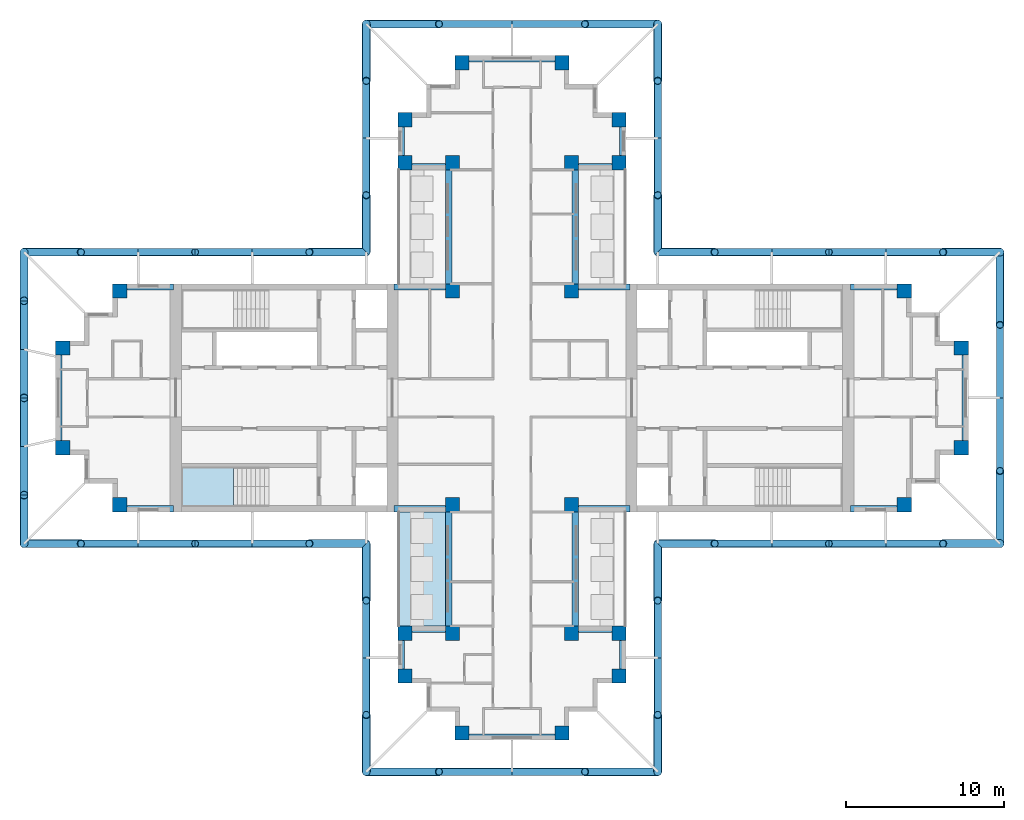
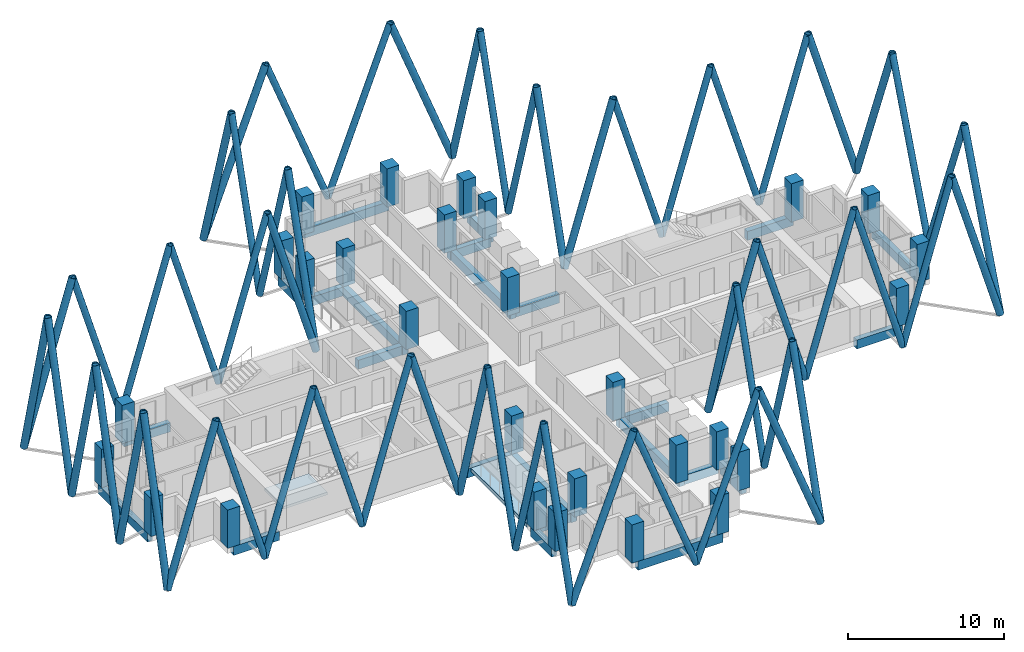
# One storey, part 1 of 11: 58 members, 28 columns, 24 beams, 2 slabs, 1 element without a shape of its own.
"""IFC4 building model written with IfcOpenShell, lengths in metres."""

from ifc_helpers import new_model, si_unit, direction, frame, origin, origin_2d, place, context, subcontext, project, spatial, polyline, rectangle, hollow_circle, outline, extrude, material, layer, layer_set, material_profile, profile_set, type_object, element, aggregate, save


model = new_model("IFC4")

# Units and contexts
model_context = context("Model", 3, precision=1e-05, world=origin(), true_north=direction((0.0, 1.0)))
body_context = subcontext(model_context, "Body", "Model", "MODEL_VIEW")
ifc_project = project(units=[si_unit("LENGTHUNIT", "METRE"), si_unit("AREAUNIT", "SQUARE_METRE"), si_unit("VOLUMEUNIT", "CUBIC_METRE"), si_unit("PLANEANGLEUNIT", "RADIAN"), si_unit("MASSUNIT", "GRAM", prefix="KILO")], contexts=[model_context])

# Site, building, storey
site_placement = place(None, origin())
site = spatial("IfcSite", under=ifc_project, at=site_placement, CompositionType="ELEMENT")
building_placement = place(site_placement, origin())
building = spatial("IfcBuilding", under=site, at=building_placement, Name="Fustian Cross Tower", CompositionType="ELEMENT")
storey_placement = place(building_placement, frame((0.0, 0.0, 222.89990234375)))
storey = spatial("IfcBuildingStorey", under=building, at=storey_placement, Name="L70", CompositionType="ELEMENT", Elevation=222.89990234375)

# Columns
ifc_material_1 = material(Name="Concrete C40/50", Category="concrete")
ifc_material_profile_1 = material_profile(ifc_material_1, rectangle(XDim=0.89990234375, YDim=0.89990234375, at=origin_2d()), Name="RC 900x900")
ifc_profile_set_1 = profile_set([ifc_material_profile_1], Name="Concrete C40/50")
column_type = type_object("IfcColumnType", Name="COLUMN RC 900x900 C40/50", PredefinedType="COLUMN", material=ifc_profile_set_1)
for number, where, z_axis, x_axis, name in (
    (1, (-28.35009765625, -3.14990234375, 0.0), (0.0, 0.0, 1.0), (1.0, 0.0, 0.0), "COLUMN 008"),
    (2, (-28.35009765625, 3.14990234375, 0.0), (0.0, 0.0, 1.0), (1.0, 0.0, 0.0), "COLUMN 009"),
    (3, (-24.75, -6.75, 0.0), (0.0, 0.0, 1.0), (1.0, 0.0, 0.0), "COLUMN 011"),
    (4, (-24.75, 6.75, 0.0), (0.0, 0.0, 1.0), (1.0, 0.0, 0.0), "COLUMN 012"),
    (5, (-6.75, -17.550048828125, 0.0), (0.0, 0.0, 1.0), (1.0, 0.0, 0.0), "COLUMN 017"),
    (6, (-6.75, -14.85009765625, 0.0), (0.0, 0.0, 1.0), (1.0, 0.0, 0.0), "COLUMN 018"),
    (7, (-6.75, 14.85009765625, 0.0), (0.0, 0.0, 1.0), (1.0, 0.0, 0.0), "COLUMN 019"),
    (8, (-6.75, 17.550048828125, 0.0), (0.0, 0.0, 1.0), (1.0, 0.0, 0.0), "COLUMN 020"),
    (9, (-3.75, -14.85009765625, 0.0), (0.0, 0.0, 1.0), (1.0, 0.0, 0.0), "COLUMN 025"),
    (10, (-3.75, -6.75, 0.0), (0.0, 0.0, 1.0), (1.0, 0.0, 0.0), "COLUMN 026"),
    (11, (-3.75, 6.75, 0.0), (0.0, 0.0, 1.0), (1.0, 0.0, 0.0), "COLUMN 027"),
    (12, (-3.75, 14.85009765625, 0.0), (0.0, 0.0, 1.0), (1.0, 0.0, 0.0), "COLUMN 028"),
    (13, (-3.14990234375, -21.14990234375, 0.0), (0.0, 0.0, 1.0), (1.0, 0.0, 0.0), "COLUMN 030"),
    (14, (-3.14990234375, 21.14990234375, 0.0), (0.0, 0.0, 1.0), (1.0, 0.0, 0.0), "COLUMN 031"),
    (15, (3.14990234375, -21.14990234375, 0.0), (0.0, 0.0, 1.0), (1.0, 0.0, 0.0), "COLUMN 034"),
    (16, (3.14990234375, 21.14990234375, 0.0), (0.0, 0.0, 1.0), (1.0, 0.0, 0.0), "COLUMN 035"),
    (17, (3.75, -14.85009765625, 0.0), (0.0, 0.0, 1.0), (1.0, 0.0, 0.0), "COLUMN 037"),
    (18, (3.75, -6.75, 0.0), (0.0, 0.0, 1.0), (1.0, 0.0, 0.0), "COLUMN 038"),
    (19, (3.75, 6.75, 0.0), (0.0, 0.0, 1.0), (1.0, 0.0, 0.0), "COLUMN 039"),
    (20, (3.75, 14.85009765625, 0.0), (0.0, 0.0, 1.0), (1.0, 0.0, 0.0), "COLUMN 040"),
    (21, (6.75, -17.550048828125, 0.0), (0.0, 0.0, 1.0), (1.0, 0.0, 0.0), "COLUMN 045"),
    (22, (6.75, -14.85009765625, 0.0), (0.0, 0.0, 1.0), (1.0, 0.0, 0.0), "COLUMN 046"),
    (23, (6.75, 14.85009765625, 0.0), (0.0, 0.0, 1.0), (1.0, 0.0, 0.0), "COLUMN 047"),
    (24, (6.75, 17.550048828125, 0.0), (0.0, 0.0, 1.0), (1.0, 0.0, 0.0), "COLUMN 048"),
    (25, (24.75, -6.75, 0.0), (0.0, 0.0, 1.0), (1.0, 0.0, 0.0), "COLUMN 053"),
    (26, (24.75, 6.75, 0.0), (0.0, 0.0, 1.0), (1.0, 0.0, 0.0), "COLUMN 054"),
    (27, (28.35009765625, -3.14990234375, 0.0), (0.0, 0.0, 1.0), (1.0, 0.0, 0.0), "COLUMN 056"),
    (28, (28.35009765625, 3.14990234375, 0.0), (0.0, 0.0, 1.0), (1.0, 0.0, 0.0), "COLUMN 057"),
):
    element("IfcColumn", number, at=place(storey_placement, frame(where, z_axis=z_axis, x_axis=x_axis)), inside=storey, type_object=column_type, Name=name, PredefinedType="COLUMN", context=body_context, shape_type="SweptSolid", body=[
        extrude(rectangle(XDim=0.89990234375, YDim=0.89990234375, at=origin_2d()), origin(), (0.0, 0.0, 1.0), 3.0),
    ])

# Members
ifc_material_2 = material(Name="Steel S355", Category="steel")
ifc_material_profile_2 = material_profile(ifc_material_2, hollow_circle(Radius=0.228515625, WallThickness=0.01611328125, at=origin_2d()), Name="CHS 457x16")
ifc_profile_set_2 = profile_set([ifc_material_profile_2], Name="Steel S355")
member_type_1 = type_object("IfcMemberType", Name="DIAGRID DIAGONAL CHS 457x16", PredefinedType="BRACE", material=ifc_profile_set_2)
for number, where, z_axis, x_axis, name in (
    (29, (16.39990234375, -9.199951171875, 0.0), (-0.287337158709, 0.0, 0.957829503213), (0.0, -1.0, 0.0), "Diagrid diagonal E-S 02"),
    (30, (16.39990234375, -9.199951171875, 0.0), (0.287355036744, 0.0, 0.957824139839), (0.0, 1.0, 0.0), "Diagrid diagonal E-S 03"),
    (31, (23.60009765625, -9.199951171875, 0.0), (-0.287355036744, 0.0, 0.957824139839), (0.0, -1.0, 0.0), "Diagrid diagonal E-S 04"),
    (32, (23.60009765625, -9.199951171875, 0.0), (0.287337158709, 0.0, 0.957829503213), (0.0, 1.0, 0.0), "Diagrid diagonal E-S 05"),
):
    element("IfcMember", number, at=place(storey_placement, frame(where, z_axis=z_axis, x_axis=x_axis)), inside=storey, type_object=member_type_1, Name=name, PredefinedType="BRACE", context=body_context, shape_type="SweptSolid", body=[
        extrude(hollow_circle(Radius=0.228515625, WallThickness=0.01611328125, at=origin_2d()), origin(), (0.0, 0.0, 1.0), 12.5283203125),
    ])
for number, where, z_axis, x_axis, name in (
    (33, (30.800048828125, 0.0, 0.0), (0.0, -0.3579426369, 0.933743577589), (1.0, 0.0, 0.0), "Diagrid diagonal E-end 02"),
    (34, (30.800048828125, 0.0, 0.0), (0.0, 0.3579426369, 0.933743577589), (-1.0, 0.0, 0.0), "Diagrid diagonal E-end 03"),
):
    element("IfcMember", number, at=place(storey_placement, frame(where, z_axis=z_axis, x_axis=x_axis)), inside=storey, type_object=member_type_1, Name=name, PredefinedType="BRACE", context=body_context, shape_type="SweptSolid", body=[
        extrude(hollow_circle(Radius=0.228515625, WallThickness=0.01611328125, at=origin_2d()), origin(), (0.0, 0.0, 1.0), 12.8515625),
    ])
for number, where, z_axis, x_axis, name in (
    (35, (23.60009765625, 9.199951171875, 0.0), (0.287337158709, 0.0, 0.957829503213), (0.0, 1.0, 0.0), "Diagrid diagonal E-N 02"),
    (36, (23.60009765625, 9.199951171875, 0.0), (-0.287355036744, 0.0, 0.957824139839), (0.0, -1.0, 0.0), "Diagrid diagonal E-N 03"),
    (37, (16.39990234375, 9.199951171875, 0.0), (0.287355036744, 0.0, 0.957824139839), (0.0, 1.0, 0.0), "Diagrid diagonal E-N 04"),
    (38, (16.39990234375, 9.199951171875, 0.0), (-0.287337158709, 0.0, 0.957829503213), (0.0, -1.0, 0.0), "Diagrid diagonal E-N 05"),
    (39, (9.199951171875, 16.39990234375, 0.0), (0.0, -0.287337158709, 0.957829503213), (1.0, 0.0, 0.0), "Diagrid diagonal N-E 02"),
    (40, (9.199951171875, 16.39990234375, 0.0), (0.0, 0.287355036744, 0.957824139839), (-1.0, 0.0, 0.0), "Diagrid diagonal N-E 03"),
):
    element("IfcMember", number, at=place(storey_placement, frame(where, z_axis=z_axis, x_axis=x_axis)), inside=storey, type_object=member_type_1, Name=name, PredefinedType="BRACE", context=body_context, shape_type="SweptSolid", body=[
        extrude(hollow_circle(Radius=0.228515625, WallThickness=0.01611328125, at=origin_2d()), origin(), (0.0, 0.0, 1.0), 12.5283203125),
    ])
for number, where, z_axis, x_axis, name in (
    (41, (0.0, 23.60009765625, 0.0), (0.3579426369, 0.0, 0.933743577589), (0.0, 1.0, 0.0), "Diagrid diagonal N-end 02"),
    (42, (0.0, 23.60009765625, 0.0), (-0.3579426369, 0.0, 0.933743577589), (0.0, -1.0, 0.0), "Diagrid diagonal N-end 03"),
):
    element("IfcMember", number, at=place(storey_placement, frame(where, z_axis=z_axis, x_axis=x_axis)), inside=storey, type_object=member_type_1, Name=name, PredefinedType="BRACE", context=body_context, shape_type="SweptSolid", body=[
        extrude(hollow_circle(Radius=0.228515625, WallThickness=0.01611328125, at=origin_2d()), origin(), (0.0, 0.0, 1.0), 12.8515625),
    ])
for number, where, z_axis, x_axis, name in (
    (43, (-9.199951171875, 16.39990234375, 0.0), (0.0, 0.287355036744, 0.957824139839), (-1.0, 0.0, 0.0), "Diagrid diagonal N-W 02"),
    (44, (-9.199951171875, 16.39990234375, 0.0), (0.0, -0.287337158709, 0.957829503213), (1.0, 0.0, 0.0), "Diagrid diagonal N-W 03"),
    (45, (-16.39990234375, 9.199951171875, 0.0), (0.287337158709, 0.0, 0.957829503213), (0.0, 1.0, 0.0), "Diagrid diagonal W-N 02"),
    (46, (-16.39990234375, 9.199951171875, 0.0), (-0.287355036744, 0.0, 0.957824139839), (0.0, -1.0, 0.0), "Diagrid diagonal W-N 03"),
    (47, (-23.60009765625, 9.199951171875, 0.0), (0.287355036744, 0.0, 0.957824139839), (0.0, 1.0, 0.0), "Diagrid diagonal W-N 04"),
    (48, (-23.60009765625, 9.199951171875, 0.0), (-0.287337158709, 0.0, 0.957829503213), (0.0, -1.0, 0.0), "Diagrid diagonal W-N 05"),
    (49, (-23.60009765625, -9.199951171875, 0.0), (-0.287337158709, 0.0, 0.957829503213), (0.0, -1.0, 0.0), "Diagrid diagonal W-S 02"),
    (50, (-23.60009765625, -9.199951171875, 0.0), (0.287355036744, 0.0, 0.957824139839), (0.0, 1.0, 0.0), "Diagrid diagonal W-S 03"),
    (51, (-16.39990234375, -9.199951171875, 0.0), (-0.287355036744, 0.0, 0.957824139839), (0.0, -1.0, 0.0), "Diagrid diagonal W-S 04"),
    (52, (-16.39990234375, -9.199951171875, 0.0), (0.287337158709, 0.0, 0.957829503213), (0.0, 1.0, 0.0), "Diagrid diagonal W-S 05"),
    (53, (-9.199951171875, -16.39990234375, 0.0), (0.0, 0.287337158709, 0.957829503213), (-1.0, 0.0, 0.0), "Diagrid diagonal S-W 02"),
    (54, (-9.199951171875, -16.39990234375, 0.0), (0.0, -0.287355036744, 0.957824139839), (1.0, 0.0, 0.0), "Diagrid diagonal S-W 03"),
):
    element("IfcMember", number, at=place(storey_placement, frame(where, z_axis=z_axis, x_axis=x_axis)), inside=storey, type_object=member_type_1, Name=name, PredefinedType="BRACE", context=body_context, shape_type="SweptSolid", body=[
        extrude(hollow_circle(Radius=0.228515625, WallThickness=0.01611328125, at=origin_2d()), origin(), (0.0, 0.0, 1.0), 12.5283203125),
    ])
for number, where, z_axis, x_axis, name in (
    (55, (0.0, -23.60009765625, 0.0), (-0.3579426369, 0.0, 0.933743577589), (0.0, -1.0, 0.0), "Diagrid diagonal S-end 02"),
    (56, (0.0, -23.60009765625, 0.0), (0.3579426369, 0.0, 0.933743577589), (0.0, 1.0, 0.0), "Diagrid diagonal S-end 03"),
):
    element("IfcMember", number, at=place(storey_placement, frame(where, z_axis=z_axis, x_axis=x_axis)), inside=storey, type_object=member_type_1, Name=name, PredefinedType="BRACE", context=body_context, shape_type="SweptSolid", body=[
        extrude(hollow_circle(Radius=0.228515625, WallThickness=0.01611328125, at=origin_2d()), origin(), (0.0, 0.0, 1.0), 12.8515625),
    ])
for number, where, z_axis, x_axis, name in (
    (57, (9.199951171875, -16.39990234375, 0.0), (0.0, -0.287355036744, 0.957824139839), (1.0, 0.0, 0.0), "Diagrid diagonal S-E 02"),
    (58, (9.199951171875, -16.39990234375, 0.0), (0.0, 0.287337158709, 0.957829503213), (-1.0, 0.0, 0.0), "Diagrid diagonal S-E 03"),
):
    element("IfcMember", number, at=place(storey_placement, frame(where, z_axis=z_axis, x_axis=x_axis)), inside=storey, type_object=member_type_1, Name=name, PredefinedType="BRACE", context=body_context, shape_type="SweptSolid", body=[
        extrude(hollow_circle(Radius=0.228515625, WallThickness=0.01611328125, at=origin_2d()), origin(), (0.0, 0.0, 1.0), 12.5283203125),
    ])
ifc_material_3 = material(Name="Steel S355", Category="steel")
ifc_material_profile_3 = material_profile(ifc_material_3, hollow_circle(Radius=0.25390625, WallThickness=0.02001953125, at=origin_2d()), Name="CHS 508x20")
ifc_profile_set_3 = profile_set([ifc_material_profile_3], Name="Steel S355")
member_type_2 = type_object("IfcMemberType", Name="DIAGRID DIAGONAL CHS 508x20", PredefinedType="BRACE", material=ifc_profile_set_3)
for number, where, z_axis, x_axis, name in (
    (59, (9.199951171875, -9.199951171875, 0.0), (0.287355036744, 0.0, 0.957824139839), (0.0, 1.0, 0.0), "Diagrid diagonal E-S 01"),
    (60, (30.800048828125, -9.199951171875, 0.0), (-0.287355036744, 0.0, 0.957824139839), (0.0, -1.0, 0.0), "Diagrid diagonal E-S 06"),
):
    element("IfcMember", number, at=place(storey_placement, frame(where, z_axis=z_axis, x_axis=x_axis)), inside=storey, type_object=member_type_2, Name=name, PredefinedType="BRACE", context=body_context, shape_type="SweptSolid", body=[
        extrude(hollow_circle(Radius=0.25390625, WallThickness=0.02001953125, at=origin_2d()), origin(), (0.0, 0.0, 1.0), 12.5283203125),
    ])
for number, where, z_axis, x_axis, name in (
    (61, (30.800048828125, -9.199951171875, 0.0), (0.0, 0.357926073629, 0.933749926809), (-1.0, 0.0, 0.0), "Diagrid diagonal E-end 01"),
    (62, (30.800048828125, 9.199951171875, 0.0), (0.0, -0.357926073629, 0.933749926809), (1.0, 0.0, 0.0), "Diagrid diagonal E-end 04"),
):
    element("IfcMember", number, at=place(storey_placement, frame(where, z_axis=z_axis, x_axis=x_axis)), inside=storey, type_object=member_type_2, Name=name, PredefinedType="BRACE", context=body_context, shape_type="SweptSolid", body=[
        extrude(hollow_circle(Radius=0.25390625, WallThickness=0.02001953125, at=origin_2d()), origin(), (0.0, 0.0, 1.0), 12.851318359375),
    ])
for number, where, z_axis, x_axis, name in (
    (63, (30.800048828125, 9.199951171875, 0.0), (-0.287355036744, 0.0, 0.957824139839), (0.0, -1.0, 0.0), "Diagrid diagonal E-N 01"),
    (64, (9.199951171875, 9.199951171875, 0.0), (0.287355036744, 0.0, 0.957824139839), (0.0, 1.0, 0.0), "Diagrid diagonal E-N 06"),
    (65, (9.199951171875, 9.199951171875, 0.0), (0.0, 0.287355036744, 0.957824139839), (-1.0, 0.0, 0.0), "Diagrid diagonal N-E 01"),
    (66, (9.199951171875, 23.60009765625, 0.0), (0.0, -0.287355036744, 0.957824139839), (1.0, 0.0, 0.0), "Diagrid diagonal N-E 04"),
):
    element("IfcMember", number, at=place(storey_placement, frame(where, z_axis=z_axis, x_axis=x_axis)), inside=storey, type_object=member_type_2, Name=name, PredefinedType="BRACE", context=body_context, shape_type="SweptSolid", body=[
        extrude(hollow_circle(Radius=0.25390625, WallThickness=0.02001953125, at=origin_2d()), origin(), (0.0, 0.0, 1.0), 12.5283203125),
    ])
for number, where, z_axis, x_axis, name in (
    (67, (9.199951171875, 23.60009765625, 0.0), (-0.357926073629, 0.0, 0.933749926809), (0.0, -1.0, 0.0), "Diagrid diagonal N-end 01"),
    (68, (-9.199951171875, 23.60009765625, 0.0), (0.357926073629, 0.0, 0.933749926809), (0.0, 1.0, 0.0), "Diagrid diagonal N-end 04"),
):
    element("IfcMember", number, at=place(storey_placement, frame(where, z_axis=z_axis, x_axis=x_axis)), inside=storey, type_object=member_type_2, Name=name, PredefinedType="BRACE", context=body_context, shape_type="SweptSolid", body=[
        extrude(hollow_circle(Radius=0.25390625, WallThickness=0.02001953125, at=origin_2d()), origin(), (0.0, 0.0, 1.0), 12.851318359375),
    ])
for number, where, z_axis, x_axis, name in (
    (69, (-9.199951171875, 23.60009765625, 0.0), (0.0, -0.287355036744, 0.957824139839), (1.0, 0.0, 0.0), "Diagrid diagonal N-W 01"),
    (70, (-9.199951171875, 9.199951171875, 0.0), (0.0, 0.287355036744, 0.957824139839), (-1.0, 0.0, 0.0), "Diagrid diagonal N-W 04"),
    (71, (-9.199951171875, 9.199951171875, 0.0), (-0.287355036744, 0.0, 0.957824139839), (0.0, -1.0, 0.0), "Diagrid diagonal W-N 01"),
    (72, (-30.800048828125, 9.199951171875, 0.0), (0.287355036744, 0.0, 0.957824139839), (0.0, 1.0, 0.0), "Diagrid diagonal W-N 06"),
):
    element("IfcMember", number, at=place(storey_placement, frame(where, z_axis=z_axis, x_axis=x_axis)), inside=storey, type_object=member_type_2, Name=name, PredefinedType="BRACE", context=body_context, shape_type="SweptSolid", body=[
        extrude(hollow_circle(Radius=0.25390625, WallThickness=0.02001953125, at=origin_2d()), origin(), (0.0, 0.0, 1.0), 12.5283203125),
    ])
for number, where, z_axis, x_axis, name in (
    (73, (-30.800048828125, 9.199951171875, 0.0), (0.0, -0.247597033967, 0.96886310115), (1.0, 0.0, 0.0), "Diagrid diagonal W-end 01"),
    (74, (-30.800048828125, 3.066650390625, 0.0), (0.0, 0.247597033967, 0.96886310115), (-1.0, 0.0, 0.0), "Diagrid diagonal W-end 02"),
    (75, (-30.800048828125, 3.066650390625, 0.0), (0.0, -0.247597033967, 0.96886310115), (1.0, 0.0, 0.0), "Diagrid diagonal W-end 03"),
    (76, (-30.800048828125, -3.066650390625, 0.0), (0.0, 0.247597033967, 0.96886310115), (-1.0, 0.0, 0.0), "Diagrid diagonal W-end 04"),
    (77, (-30.800048828125, -3.066650390625, 0.0), (0.0, -0.247597033967, 0.96886310115), (1.0, 0.0, 0.0), "Diagrid diagonal W-end 05"),
    (78, (-30.800048828125, -9.199951171875, 0.0), (0.0, 0.247597033967, 0.96886310115), (-1.0, 0.0, 0.0), "Diagrid diagonal W-end 06"),
):
    element("IfcMember", number, at=place(storey_placement, frame(where, z_axis=z_axis, x_axis=x_axis)), inside=storey, type_object=member_type_2, Name=name, PredefinedType="BRACE", context=body_context, shape_type="SweptSolid", body=[
        extrude(hollow_circle(Radius=0.25390625, WallThickness=0.02001953125, at=origin_2d()), origin(), (0.0, 0.0, 1.0), 12.3857421875),
    ])
for number, where, z_axis, x_axis, name in (
    (79, (-30.800048828125, -9.199951171875, 0.0), (0.287355036744, 0.0, 0.957824139839), (0.0, 1.0, 0.0), "Diagrid diagonal W-S 01"),
    (80, (-9.199951171875, -9.199951171875, 0.0), (-0.287355036744, 0.0, 0.957824139839), (0.0, -1.0, 0.0), "Diagrid diagonal W-S 06"),
    (81, (-9.199951171875, -9.199951171875, 0.0), (0.0, -0.287355036744, 0.957824139839), (1.0, 0.0, 0.0), "Diagrid diagonal S-W 01"),
    (82, (-9.199951171875, -23.60009765625, 0.0), (0.0, 0.287355036744, 0.957824139839), (-1.0, 0.0, 0.0), "Diagrid diagonal S-W 04"),
):
    element("IfcMember", number, at=place(storey_placement, frame(where, z_axis=z_axis, x_axis=x_axis)), inside=storey, type_object=member_type_2, Name=name, PredefinedType="BRACE", context=body_context, shape_type="SweptSolid", body=[
        extrude(hollow_circle(Radius=0.25390625, WallThickness=0.02001953125, at=origin_2d()), origin(), (0.0, 0.0, 1.0), 12.5283203125),
    ])
for number, where, z_axis, x_axis, name in (
    (83, (-9.199951171875, -23.60009765625, 0.0), (0.357926073629, 0.0, 0.933749926809), (0.0, 1.0, 0.0), "Diagrid diagonal S-end 01"),
    (84, (9.199951171875, -23.60009765625, 0.0), (-0.357926073629, 0.0, 0.933749926809), (0.0, -1.0, 0.0), "Diagrid diagonal S-end 04"),
):
    element("IfcMember", number, at=place(storey_placement, frame(where, z_axis=z_axis, x_axis=x_axis)), inside=storey, type_object=member_type_2, Name=name, PredefinedType="BRACE", context=body_context, shape_type="SweptSolid", body=[
        extrude(hollow_circle(Radius=0.25390625, WallThickness=0.02001953125, at=origin_2d()), origin(), (0.0, 0.0, 1.0), 12.851318359375),
    ])
for number, where, z_axis, x_axis, name in (
    (85, (9.199951171875, -23.60009765625, 0.0), (0.0, 0.287355036744, 0.957824139839), (-1.0, 0.0, 0.0), "Diagrid diagonal S-E 01"),
    (86, (9.199951171875, -9.199951171875, 0.0), (0.0, -0.287355036744, 0.957824139839), (1.0, 0.0, 0.0), "Diagrid diagonal S-E 04"),
):
    element("IfcMember", number, at=place(storey_placement, frame(where, z_axis=z_axis, x_axis=x_axis)), inside=storey, type_object=member_type_2, Name=name, PredefinedType="BRACE", context=body_context, shape_type="SweptSolid", body=[
        extrude(hollow_circle(Radius=0.25390625, WallThickness=0.02001953125, at=origin_2d()), origin(), (0.0, 0.0, 1.0), 12.5283203125),
    ])

# Beams
ifc_material_4 = material(Name="Concrete C50/60", Category="concrete")
ifc_material_profile_4 = material_profile(ifc_material_4, rectangle(XDim=0.39990234375, YDim=0.699951171875, at=origin_2d()), Name="RC 400x700")
ifc_profile_set_4 = profile_set([ifc_material_profile_4], Name="Concrete C50/60")
beam_type = type_object("IfcBeamType", Name="EDGE BEAM RC 400x700 C50/60", PredefinedType="SPANDREL", material=ifc_profile_set_4)
beam_1_placement = place(storey_placement, frame((21.35009765625, -7.0, -0.349853515625), z_axis=(1.0, 0.0, 0.0), x_axis=(0.0, 1.0, 0.0)))
element("IfcBeam", 87, at=beam_1_placement, inside=storey, type_object=beam_type, Name="EDGE BEAM L70-01", PredefinedType="SPANDREL", context=body_context, shape_type="SweptSolid", body=[
    extrude(rectangle(XDim=0.39990234375, YDim=0.699951171875, at=origin_2d()), origin(), (0.0, 0.0, 1.0), 3.39990234375),
])
beam_2_placement = place(storey_placement, frame((28.60009765625, -3.14990234375, -0.349853515625), z_axis=(0.0, 1.0, 0.0), x_axis=(-1.0, 0.0, 0.0)))
element("IfcBeam", 88, at=beam_2_placement, inside=storey, type_object=beam_type, Name="EDGE BEAM L70-02", PredefinedType="SPANDREL", context=body_context, shape_type="SweptSolid", body=[
    extrude(rectangle(XDim=0.39990234375, YDim=0.699951171875, at=origin_2d()), origin(), (0.0, 0.0, 1.0), 6.2998046875),
])
beam_3_placement = place(storey_placement, frame((24.75, 7.0, -0.349853515625), z_axis=(-1.0, 0.0, 0.0), x_axis=(0.0, -1.0, 0.0)))
element("IfcBeam", 89, at=beam_3_placement, inside=storey, type_object=beam_type, Name="EDGE BEAM L70-03", PredefinedType="SPANDREL", context=body_context, shape_type="SweptSolid", body=[
    extrude(rectangle(XDim=0.39990234375, YDim=0.699951171875, at=origin_2d()), origin(), (0.0, 0.0, 1.0), 3.39990234375),
])
beam_4_placement = place(storey_placement, frame((7.449951171875, 7.0, -0.349853515625), z_axis=(-1.0, 0.0, 0.0), x_axis=(0.0, -1.0, 0.0)))
element("IfcBeam", 90, at=beam_4_placement, inside=storey, type_object=beam_type, Name="EDGE BEAM L70-04", PredefinedType="SPANDREL", context=body_context, shape_type="SweptSolid", body=[
    extrude(rectangle(XDim=0.39990234375, YDim=0.699951171875, at=origin_2d()), origin(), (0.0, 0.0, 1.0), 3.699951171875),
])
beam_5_placement = place(storey_placement, frame((4.0, 6.75, -0.349853515625), z_axis=(0.0, 1.0, 0.0), x_axis=(-1.0, 0.0, 0.0)))
element("IfcBeam", 91, at=beam_5_placement, inside=storey, type_object=beam_type, Name="EDGE BEAM L70-05", PredefinedType="SPANDREL", context=body_context, shape_type="SweptSolid", body=[
    extrude(rectangle(XDim=0.39990234375, YDim=0.699951171875, at=origin_2d()), origin(), (0.0, 0.0, 1.0), 8.10009765625),
])
beam_6_placement = place(storey_placement, frame((3.75, 14.60009765625, -0.349853515625), z_axis=(1.0, 0.0, 0.0), x_axis=(0.0, 1.0, 0.0)))
element("IfcBeam", 92, at=beam_6_placement, inside=storey, type_object=beam_type, Name="EDGE BEAM L70-06", PredefinedType="SPANDREL", context=body_context, shape_type="SweptSolid", body=[
    extrude(rectangle(XDim=0.39990234375, YDim=0.699951171875, at=origin_2d()), origin(), (0.0, 0.0, 1.0), 3.0),
])
beam_7_placement = place(storey_placement, frame((7.0, 14.85009765625, -0.349853515625), z_axis=(0.0, 1.0, 0.0), x_axis=(-1.0, 0.0, 0.0)))
element("IfcBeam", 93, at=beam_7_placement, inside=storey, type_object=beam_type, Name="EDGE BEAM L70-07", PredefinedType="SPANDREL", context=body_context, shape_type="SweptSolid", body=[
    extrude(rectangle(XDim=0.39990234375, YDim=0.699951171875, at=origin_2d()), origin(), (0.0, 0.0, 1.0), 2.699951171875),
])
beam_8_placement = place(storey_placement, frame((3.14990234375, 21.39990234375, -0.349853515625), z_axis=(-1.0, 0.0, 0.0), x_axis=(0.0, -1.0, 0.0)))
element("IfcBeam", 94, at=beam_8_placement, inside=storey, type_object=beam_type, Name="EDGE BEAM L70-08", PredefinedType="SPANDREL", context=body_context, shape_type="SweptSolid", body=[
    extrude(rectangle(XDim=0.39990234375, YDim=0.699951171875, at=origin_2d()), origin(), (0.0, 0.0, 1.0), 6.2998046875),
])
beam_9_placement = place(storey_placement, frame((-7.0, 17.550048828125, -0.349853515625), z_axis=(0.0, -1.0, 0.0), x_axis=(1.0, 0.0, 0.0)))
element("IfcBeam", 95, at=beam_9_placement, inside=storey, type_object=beam_type, Name="EDGE BEAM L70-09", PredefinedType="SPANDREL", context=body_context, shape_type="SweptSolid", body=[
    extrude(rectangle(XDim=0.39990234375, YDim=0.699951171875, at=origin_2d()), origin(), (0.0, 0.0, 1.0), 2.699951171875),
])
beam_10_placement = place(storey_placement, frame((-6.75, 14.60009765625, -0.349853515625), z_axis=(1.0, 0.0, 0.0), x_axis=(0.0, 1.0, 0.0)))
element("IfcBeam", 96, at=beam_10_placement, inside=storey, type_object=beam_type, Name="EDGE BEAM L70-10", PredefinedType="SPANDREL", context=body_context, shape_type="SweptSolid", body=[
    extrude(rectangle(XDim=0.39990234375, YDim=0.699951171875, at=origin_2d()), origin(), (0.0, 0.0, 1.0), 3.0),
])
beam_11_placement = place(storey_placement, frame((-4.0, 14.85009765625, -0.349853515625), z_axis=(0.0, -1.0, 0.0), x_axis=(1.0, 0.0, 0.0)))
element("IfcBeam", 97, at=beam_11_placement, inside=storey, type_object=beam_type, Name="EDGE BEAM L70-11", PredefinedType="SPANDREL", context=body_context, shape_type="SweptSolid", body=[
    extrude(rectangle(XDim=0.39990234375, YDim=0.699951171875, at=origin_2d()), origin(), (0.0, 0.0, 1.0), 8.10009765625),
])
beam_12_placement = place(storey_placement, frame((-3.75, 7.0, -0.349853515625), z_axis=(-1.0, 0.0, 0.0), x_axis=(0.0, -1.0, 0.0)))
element("IfcBeam", 98, at=beam_12_placement, inside=storey, type_object=beam_type, Name="EDGE BEAM L70-12", PredefinedType="SPANDREL", context=body_context, shape_type="SweptSolid", body=[
    extrude(rectangle(XDim=0.39990234375, YDim=0.699951171875, at=origin_2d()), origin(), (0.0, 0.0, 1.0), 3.699951171875),
])
beam_13_placement = place(storey_placement, frame((-21.35009765625, 7.0, -0.349853515625), z_axis=(-1.0, 0.0, 0.0), x_axis=(0.0, -1.0, 0.0)))
element("IfcBeam", 99, at=beam_13_placement, inside=storey, type_object=beam_type, Name="EDGE BEAM L70-13", PredefinedType="SPANDREL", context=body_context, shape_type="SweptSolid", body=[
    extrude(rectangle(XDim=0.39990234375, YDim=0.699951171875, at=origin_2d()), origin(), (0.0, 0.0, 1.0), 3.39990234375),
])
beam_14_placement = place(storey_placement, frame((-28.60009765625, 3.14990234375, -0.349853515625), z_axis=(0.0, -1.0, 0.0), x_axis=(1.0, 0.0, 0.0)))
element("IfcBeam", 100, at=beam_14_placement, inside=storey, type_object=beam_type, Name="EDGE BEAM L70-14", PredefinedType="SPANDREL", context=body_context, shape_type="SweptSolid", body=[
    extrude(rectangle(XDim=0.39990234375, YDim=0.699951171875, at=origin_2d()), origin(), (0.0, 0.0, 1.0), 6.2998046875),
])
beam_15_placement = place(storey_placement, frame((-24.75, -7.0, -0.349853515625), z_axis=(1.0, 0.0, 0.0), x_axis=(0.0, 1.0, 0.0)))
element("IfcBeam", 101, at=beam_15_placement, inside=storey, type_object=beam_type, Name="EDGE BEAM L70-15", PredefinedType="SPANDREL", context=body_context, shape_type="SweptSolid", body=[
    extrude(rectangle(XDim=0.39990234375, YDim=0.699951171875, at=origin_2d()), origin(), (0.0, 0.0, 1.0), 3.39990234375),
])
beam_16_placement = place(storey_placement, frame((-7.449951171875, -7.0, -0.349853515625), z_axis=(1.0, 0.0, 0.0), x_axis=(0.0, 1.0, 0.0)))
element("IfcBeam", 102, at=beam_16_placement, inside=storey, type_object=beam_type, Name="EDGE BEAM L70-16", PredefinedType="SPANDREL", context=body_context, shape_type="SweptSolid", body=[
    extrude(rectangle(XDim=0.39990234375, YDim=0.699951171875, at=origin_2d()), origin(), (0.0, 0.0, 1.0), 3.699951171875),
])
beam_17_placement = place(storey_placement, frame((-4.0, -6.75, -0.349853515625), z_axis=(0.0, -1.0, 0.0), x_axis=(1.0, 0.0, 0.0)))
element("IfcBeam", 103, at=beam_17_placement, inside=storey, type_object=beam_type, Name="EDGE BEAM L70-17", PredefinedType="SPANDREL", context=body_context, shape_type="SweptSolid", body=[
    extrude(rectangle(XDim=0.39990234375, YDim=0.699951171875, at=origin_2d()), origin(), (0.0, 0.0, 1.0), 8.10009765625),
])
beam_18_placement = place(storey_placement, frame((-3.75, -14.60009765625, -0.349853515625), z_axis=(-1.0, 0.0, 0.0), x_axis=(0.0, -1.0, 0.0)))
element("IfcBeam", 104, at=beam_18_placement, inside=storey, type_object=beam_type, Name="EDGE BEAM L70-18", PredefinedType="SPANDREL", context=body_context, shape_type="SweptSolid", body=[
    extrude(rectangle(XDim=0.39990234375, YDim=0.699951171875, at=origin_2d()), origin(), (0.0, 0.0, 1.0), 3.0),
])
beam_19_placement = place(storey_placement, frame((-7.0, -14.85009765625, -0.349853515625), z_axis=(0.0, -1.0, 0.0), x_axis=(1.0, 0.0, 0.0)))
element("IfcBeam", 105, at=beam_19_placement, inside=storey, type_object=beam_type, Name="EDGE BEAM L70-19", PredefinedType="SPANDREL", context=body_context, shape_type="SweptSolid", body=[
    extrude(rectangle(XDim=0.39990234375, YDim=0.699951171875, at=origin_2d()), origin(), (0.0, 0.0, 1.0), 2.699951171875),
])
beam_20_placement = place(storey_placement, frame((-3.14990234375, -21.39990234375, -0.349853515625), z_axis=(1.0, 0.0, 0.0), x_axis=(0.0, 1.0, 0.0)))
element("IfcBeam", 106, at=beam_20_placement, inside=storey, type_object=beam_type, Name="EDGE BEAM L70-20", PredefinedType="SPANDREL", context=body_context, shape_type="SweptSolid", body=[
    extrude(rectangle(XDim=0.39990234375, YDim=0.699951171875, at=origin_2d()), origin(), (0.0, 0.0, 1.0), 6.2998046875),
])
beam_21_placement = place(storey_placement, frame((7.0, -17.550048828125, -0.349853515625), z_axis=(0.0, 1.0, 0.0), x_axis=(-1.0, 0.0, 0.0)))
element("IfcBeam", 107, at=beam_21_placement, inside=storey, type_object=beam_type, Name="EDGE BEAM L70-21", PredefinedType="SPANDREL", context=body_context, shape_type="SweptSolid", body=[
    extrude(rectangle(XDim=0.39990234375, YDim=0.699951171875, at=origin_2d()), origin(), (0.0, 0.0, 1.0), 2.699951171875),
])
beam_22_placement = place(storey_placement, frame((6.75, -14.60009765625, -0.349853515625), z_axis=(-1.0, 0.0, 0.0), x_axis=(0.0, -1.0, 0.0)))
element("IfcBeam", 108, at=beam_22_placement, inside=storey, type_object=beam_type, Name="EDGE BEAM L70-22", PredefinedType="SPANDREL", context=body_context, shape_type="SweptSolid", body=[
    extrude(rectangle(XDim=0.39990234375, YDim=0.699951171875, at=origin_2d()), origin(), (0.0, 0.0, 1.0), 3.0),
])
beam_23_placement = place(storey_placement, frame((4.0, -14.85009765625, -0.349853515625), z_axis=(0.0, 1.0, 0.0), x_axis=(-1.0, 0.0, 0.0)))
element("IfcBeam", 109, at=beam_23_placement, inside=storey, type_object=beam_type, Name="EDGE BEAM L70-23", PredefinedType="SPANDREL", context=body_context, shape_type="SweptSolid", body=[
    extrude(rectangle(XDim=0.39990234375, YDim=0.699951171875, at=origin_2d()), origin(), (0.0, 0.0, 1.0), 8.10009765625),
])
beam_24_placement = place(storey_placement, frame((3.75, -7.0, -0.349853515625), z_axis=(1.0, 0.0, 0.0), x_axis=(0.0, 1.0, 0.0)))
element("IfcBeam", 110, at=beam_24_placement, inside=storey, type_object=beam_type, Name="EDGE BEAM L70-24", PredefinedType="SPANDREL", context=body_context, shape_type="SweptSolid", body=[
    extrude(rectangle(XDim=0.39990234375, YDim=0.699951171875, at=origin_2d()), origin(), (0.0, 0.0, 1.0), 3.699951171875),
])

# Slab
ifc_material_5 = material(Name="Concrete C40/50", Category="concrete")
ifc_layer_1 = layer(ifc_material_5, 0.300048828125)
ifc_layer_set_1 = layer_set([ifc_layer_1], Name="Concrete C40/50")
slab_type_1 = type_object("IfcSlabType", Name="BS1 BALCONY SLAB 300", PredefinedType="FLOOR", material=ifc_layer_set_1)
slab_1_placement = place(storey_placement, frame((0.0, 0.0, -0.2998046875)))
element("IfcSlab", 111, at=slab_1_placement, inside=storey, type_object=slab_type_1, Name="Balcony slab", PredefinedType="FLOOR", context=body_context, shape_type="SweptSolid", body=[
    extrude(outline(polyline([(-7.199951171875, -14.39990234375), (-4.199951171875, -14.39990234375), (-4.199951171875, -7.199951171875), (-7.199951171875, -7.199951171875), (-7.199951171875, -14.39990234375)])), origin(), (0.0, 0.0, 1.0), 0.2998046875),
])

# Stair, slab
ifc_material_6 = material(Name="Concrete C50/60", Category="concrete")
stair_type = type_object("IfcStairType", Name="STAIR 1200 HALF TURN", PredefinedType="HALF_TURN_STAIR", material=ifc_material_6)
stair_placement = place(storey_placement, origin())
stair = element("IfcStair", 112, at=stair_placement, inside=storey, type_object=stair_type, Name="Stair ST4", PredefinedType="HALF_TURN_STAIR")
ifc_material_7 = material(Name="Concrete C50/60", Category="concrete")
ifc_layer_2 = layer(ifc_material_7, 0.199951171875)
ifc_layer_set_2 = layer_set([ifc_layer_2], Name="Concrete C50/60")
slab_type_2 = type_object("IfcSlabType", Name="STAIR LANDING", PredefinedType="LANDING", material=ifc_layer_set_2)
slab_2_placement = place(storey_placement, frame((0.0, 0.0, 1.300048828125)))
slab_2 = element("IfcSlab", 113, at=slab_2_placement, type_object=slab_type_2, Name="ST4 landing 1", PredefinedType="LANDING", context=body_context, shape_type="SweptSolid", body=[
    extrude(outline(polyline([(-17.590087890625, -4.39990234375), (-20.85009765625, -4.39990234375), (-20.85009765625, -6.800048828125), (-17.590087890625, -6.800048828125), (-17.590087890625, -4.39990234375)])), origin(), (0.0, 0.0, 1.0), 0.199951171875),
])
aggregate(stair, [slab_2])

save(model, "model.ifc")
